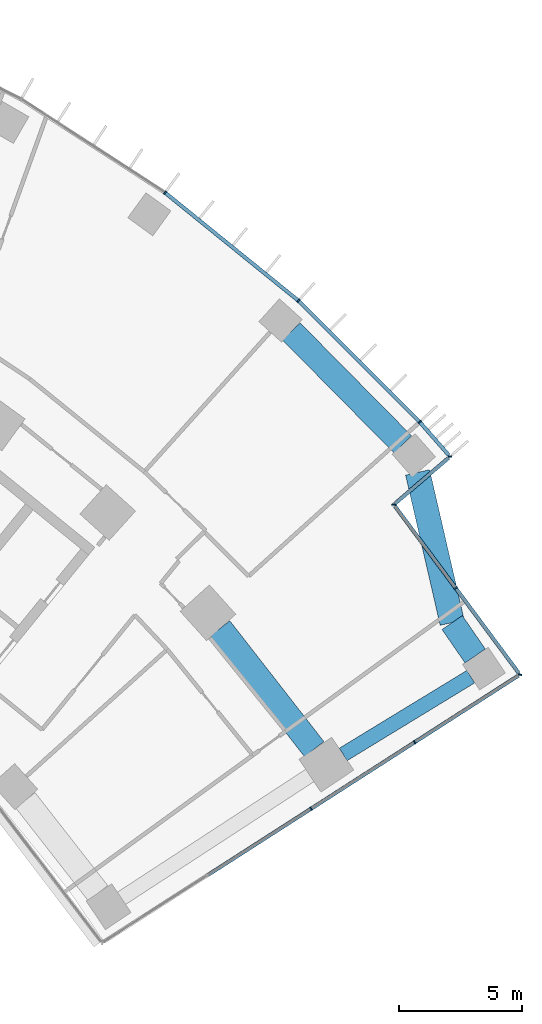
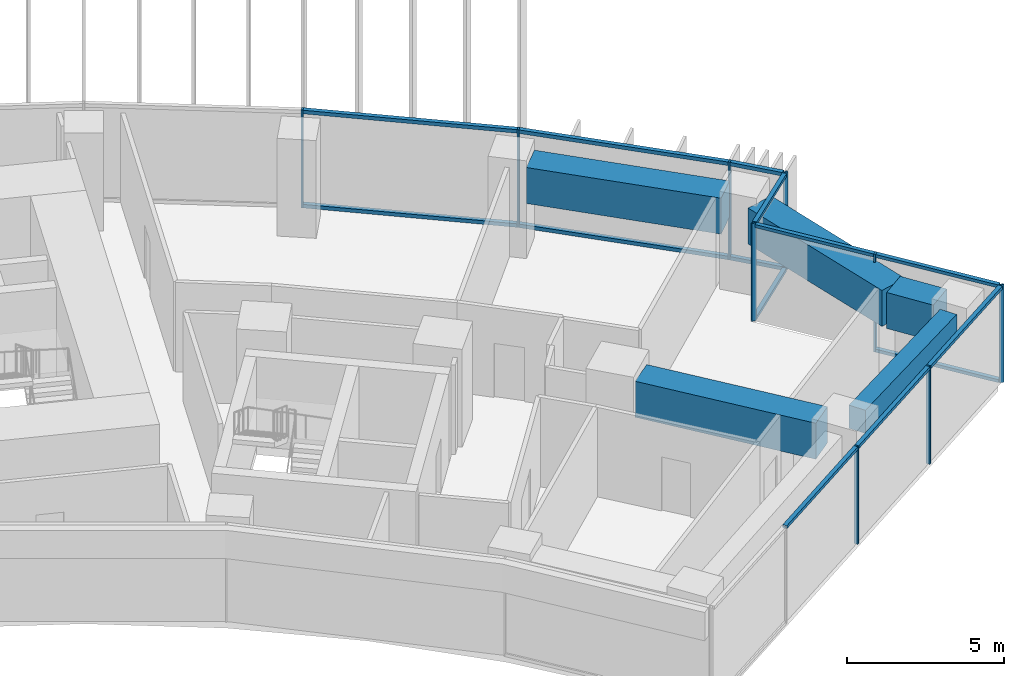
# One storey, part 12 of 25: 23 members, 5 beams, 4 elements without a shape of their own.
"""IFC4 building model written with IfcOpenShell, lengths in metres."""

from ifc_helpers import new_model, si_unit, direction, frame, origin, origin_2d, place, context, subcontext, project, spatial, rectangle, extrude, material, layer, layer_set, material_profile, profile_set, type_object, element, aggregate, save


model = new_model("IFC4")

# Units and contexts
model_context = context("Model", 3, precision=1e-05, world=origin(), true_north=direction((0.0, 1.0)))
body_context = subcontext(model_context, "Body", "Model", "MODEL_VIEW")
ifc_project = project(units=[si_unit("LENGTHUNIT", "METRE"), si_unit("AREAUNIT", "SQUARE_METRE"), si_unit("VOLUMEUNIT", "CUBIC_METRE"), si_unit("PLANEANGLEUNIT", "RADIAN"), si_unit("MASSUNIT", "GRAM", prefix="KILO")], contexts=[model_context])

# Site, building, storey
site_placement = place(None, origin())
site = spatial("IfcSite", under=ifc_project, at=site_placement, CompositionType="ELEMENT")
building_placement = place(site_placement, origin())
building = spatial("IfcBuilding", under=site, at=building_placement, Name="Stone Belt Terrace Tower", CompositionType="ELEMENT")
storey_placement = place(building_placement, frame((0.0, 0.0, 52.800048828125)))
storey = spatial("IfcBuildingStorey", under=building, at=storey_placement, Name="L12", CompositionType="ELEMENT", Elevation=52.800048828125)

# Curtain wall, members
ifc_material_1 = material(Name="Aluminium 6063-T6 anodised frame", Category="aluminium")
ifc_layer_1 = layer(ifc_material_1, 0.14990234375)
ifc_layer_set_1 = layer_set([ifc_layer_1], Name="CW-A unitised convex-face curtain wall")
curtain_wall_type_1 = type_object("IfcCurtainWallType", Name="CW-A unitised convex-face curtain wall", PredefinedType="NOTDEFINED", material=ifc_layer_set_1)
curtain_wall_1_placement = place(storey_placement, origin())
curtain_wall_1 = element("IfcCurtainWall", 1, at=curtain_wall_1_placement, inside=storey, type_object=curtain_wall_type_1, Name="CW-A convex face L12", PredefinedType="NOTDEFINED")
ifc_material_profile_1 = material_profile(ifc_material_1, rectangle(XDim=0.14990234375, YDim=0.06005859375, at=origin_2d()), Name="Aluminium 6063-T6 60x150")
ifc_profile_set_1 = profile_set([ifc_material_profile_1], Name="Aluminium 6063-T6 anodised frame")
member_type_1 = type_object("IfcMemberType", Name="CW-A mullion 60 x 150", PredefinedType="MULLION", material=ifc_profile_set_1)
member_1_placement = place(storey_placement, frame((50.704833984375, 43.14404296875, 0.0), z_axis=(0.0, 0.0, 1.0), x_axis=(-0.997370302564, 0.072473992328, 0.0)))
member_1 = element("IfcMember", 2, at=member_1_placement, type_object=member_type_1, Name="CW-A mullion 1", PredefinedType="MULLION", context=body_context, shape_type="SweptSolid", body=[
    extrude(rectangle(XDim=0.14990234375, YDim=0.06005859375, at=origin_2d()), origin(), (0.0, 0.0, 1.0), 3.800048828125),
])
member_2_placement = place(storey_placement, frame((49.473876953125, 44.548583984375, 0.0), z_axis=(0.0, 0.0, 1.0), x_axis=(-0.729987735312, -0.683460244853, 0.0)))
member_2 = element("IfcMember", 3, at=member_2_placement, type_object=member_type_1, Name="CW-A mullion 2", PredefinedType="MULLION", context=body_context, shape_type="SweptSolid", body=[
    extrude(rectangle(XDim=0.14990234375, YDim=0.06005859375, at=origin_2d()), origin(), (0.0, 0.0, 1.0), 3.800048828125),
])
member_3_placement = place(storey_placement, frame((44.54736328125, 49.474853515625, 0.0), z_axis=(0.0, 0.0, 1.0), x_axis=(-0.669130606359, -0.743144825477, 0.0)))
member_3 = element("IfcMember", 4, at=member_3_placement, type_object=member_type_1, Name="CW-A mullion 3", PredefinedType="MULLION", context=body_context, shape_type="SweptSolid", body=[
    extrude(rectangle(XDim=0.14990234375, YDim=0.06005859375, at=origin_2d()), origin(), (0.0, 0.0, 1.0), 3.800048828125),
])
member_4_placement = place(storey_placement, frame((39.1318359375, 53.8603515625, 0.0), z_axis=(0.0, 0.0, 1.0), x_axis=(-0.587785252292, -0.809016994375, 0.0)))
member_4 = element("IfcMember", 5, at=member_4_placement, type_object=member_type_1, Name="CW-A mullion 4", PredefinedType="MULLION", context=body_context, shape_type="SweptSolid", body=[
    extrude(rectangle(XDim=0.14990234375, YDim=0.06005859375, at=origin_2d()), origin(), (0.0, 0.0, 1.0), 3.800048828125),
])
ifc_material_profile_2 = material_profile(ifc_material_1, rectangle(XDim=0.14990234375, YDim=0.139892578125, at=origin_2d()), Name="Aluminium 6063-T6 150x140")
ifc_profile_set_2 = profile_set([ifc_material_profile_2], Name="Aluminium 6063-T6 anodised frame")
member_type_2 = type_object("IfcMemberType", Name="CW-A transom 140 x 150", PredefinedType="USERDEFINED", material=ifc_profile_set_2)
member_5_placement = place(storey_placement, frame((50.65576171875, 43.199951171875, 0.070068359375), z_axis=(-0.659054166524, 0.752095476378, 0.0), x_axis=(-0.752095476378, -0.659054166524, 0.0)))
member_5 = element("IfcMember", 6, at=member_5_placement, type_object=member_type_2, Name="CW-A transom 1.1", ObjectType="TRANSOM", PredefinedType="USERDEFINED", context=body_context, shape_type="SweptSolid", body=[
    extrude(rectangle(XDim=0.14990234375, YDim=0.139892578125, at=origin_2d()), origin(), (0.0, 0.0, 1.0), 1.7607421875),
])
member_6_placement = place(storey_placement, frame((50.65576171875, 43.199951171875, 3.72998046875), z_axis=(-0.659054166524, 0.752095476378, 0.0), x_axis=(-0.752095476378, -0.659054166524, 0.0)))
member_6 = element("IfcMember", 7, at=member_6_placement, type_object=member_type_2, Name="CW-A transom 1.2", ObjectType="TRANSOM", PredefinedType="USERDEFINED", context=body_context, shape_type="SweptSolid", body=[
    extrude(rectangle(XDim=0.14990234375, YDim=0.139892578125, at=origin_2d()), origin(), (0.0, 0.0, 1.0), 1.7607421875),
])
member_7_placement = place(storey_placement, frame((49.450927734375, 44.571533203125, 0.070068359375), z_axis=(-0.707124470575, 0.707089091355, 0.0), x_axis=(-0.707089091355, -0.707124470575, 0.0)))
member_7 = element("IfcMember", 8, at=member_7_placement, type_object=member_type_2, Name="CW-A transom 2.1", ObjectType="TRANSOM", PredefinedType="USERDEFINED", context=body_context, shape_type="SweptSolid", body=[
    extrude(rectangle(XDim=0.14990234375, YDim=0.139892578125, at=origin_2d()), origin(), (0.0, 0.0, 1.0), 6.900634765625),
])
member_8_placement = place(storey_placement, frame((49.450927734375, 44.571533203125, 3.72998046875), z_axis=(-0.707124470575, 0.707089091355, 0.0), x_axis=(-0.707089091355, -0.707124470575, 0.0)))
member_8 = element("IfcMember", 9, at=member_8_placement, type_object=member_type_2, Name="CW-A transom 2.2", ObjectType="TRANSOM", PredefinedType="USERDEFINED", context=body_context, shape_type="SweptSolid", body=[
    extrude(rectangle(XDim=0.14990234375, YDim=0.139892578125, at=origin_2d()), origin(), (0.0, 0.0, 1.0), 6.900634765625),
])
member_9_placement = place(storey_placement, frame((44.52099609375, 49.496337890625, 0.070068359375), z_axis=(-0.777141048626, 0.629326457842, 0.0), x_axis=(-0.629326457842, -0.777141048626, 0.0)))
member_9 = element("IfcMember", 10, at=member_9_placement, type_object=member_type_2, Name="CW-A transom 3.1", ObjectType="TRANSOM", PredefinedType="USERDEFINED", context=body_context, shape_type="SweptSolid", body=[
    extrude(rectangle(XDim=0.14990234375, YDim=0.139892578125, at=origin_2d()), origin(), (0.0, 0.0, 1.0), 6.900634765625),
])
member_10_placement = place(storey_placement, frame((44.52099609375, 49.496337890625, 3.72998046875), z_axis=(-0.777141048626, 0.629326457842, 0.0), x_axis=(-0.629326457842, -0.777141048626, 0.0)))
member_10 = element("IfcMember", 11, at=member_10_placement, type_object=member_type_2, Name="CW-A transom 3.2", ObjectType="TRANSOM", PredefinedType="USERDEFINED", context=body_context, shape_type="SweptSolid", body=[
    extrude(rectangle(XDim=0.14990234375, YDim=0.139892578125, at=origin_2d()), origin(), (0.0, 0.0, 1.0), 6.900634765625),
])
aggregate(curtain_wall_1, [member_1, member_2, member_3, member_4, member_5, member_6, member_7, member_8, member_9, member_10])

ifc_layer_2 = layer(ifc_material_1, 0.14990234375)
ifc_layer_set_2 = layer_set([ifc_layer_2], Name="CW-C stick curtain wall, horn ends and notches")
curtain_wall_type_2 = type_object("IfcCurtainWallType", Name="CW-C stick curtain wall, horn ends and notches", PredefinedType="NOTDEFINED", material=ifc_layer_set_2)
curtain_wall_2_placement = place(storey_placement, origin())
curtain_wall_2 = element("IfcCurtainWall", 12, at=curtain_wall_2_placement, inside=storey, type_object=curtain_wall_type_2, Name="CW-C end face L12", PredefinedType="NOTDEFINED")
ifc_material_profile_3 = material_profile(ifc_material_1, rectangle(XDim=0.14990234375, YDim=0.06005859375, at=origin_2d()), Name="Aluminium 6063-T6 60x150")
ifc_profile_set_3 = profile_set([ifc_material_profile_3], Name="Aluminium 6063-T6 anodised frame")
member_type_3 = type_object("IfcMemberType", Name="CW-C mullion 60 x 150", PredefinedType="MULLION", material=ifc_profile_set_3)
member_11_placement = place(storey_placement, frame((45.059326171875, 28.843017578125, 0.0), z_axis=(0.0, 0.0, 1.0), x_axis=(-0.540302305869, 0.841470984807, 0.0)))
member_11 = element("IfcMember", 13, at=member_11_placement, type_object=member_type_3, Name="CW-C mullion 3", PredefinedType="MULLION", context=body_context, shape_type="SweptSolid", body=[
    extrude(rectangle(XDim=0.14990234375, YDim=0.06005859375, at=origin_2d()), origin(), (0.0, 0.0, 1.0), 3.800048828125),
])
member_12_placement = place(storey_placement, frame((49.2666015625, 31.544677734375, 0.0), z_axis=(0.0, 0.0, 1.0), x_axis=(-0.540302305869, 0.841470984807, 0.0)))
member_12 = element("IfcMember", 14, at=member_12_placement, type_object=member_type_3, Name="CW-C mullion 4", PredefinedType="MULLION", context=body_context, shape_type="SweptSolid", body=[
    extrude(rectangle(XDim=0.14990234375, YDim=0.06005859375, at=origin_2d()), origin(), (0.0, 0.0, 1.0), 3.800048828125),
])

curtain_wall_3_placement = place(storey_placement, origin())
curtain_wall_3 = element("IfcCurtainWall", 15, at=curtain_wall_3_placement, inside=storey, type_object=curtain_wall_type_2, Name="CW-C notch face L12", PredefinedType="NOTDEFINED")
member_13_placement = place(storey_placement, frame((53.54150390625, 34.28955078125, 0.0), z_axis=(0.0, 0.0, 1.0), x_axis=(-0.983706042756, 0.179784374864, 0.0)))
member_13 = element("IfcMember", 16, at=member_13_placement, type_object=member_type_3, Name="CW-C mullion 1", PredefinedType="MULLION", context=body_context, shape_type="SweptSolid", body=[
    extrude(rectangle(XDim=0.14990234375, YDim=0.06005859375, at=origin_2d()), origin(), (0.0, 0.0, 1.0), 3.800048828125),
])
member_14_placement = place(storey_placement, frame((50.934814453125, 37.8017578125, 0.0), z_axis=(0.0, 0.0, 1.0), x_axis=(-0.803011209749, -0.59596392258, 0.0)))
member_14 = element("IfcMember", 17, at=member_14_placement, type_object=member_type_3, Name="CW-C mullion 2", PredefinedType="MULLION", context=body_context, shape_type="SweptSolid", body=[
    extrude(rectangle(XDim=0.14990234375, YDim=0.06005859375, at=origin_2d()), origin(), (0.0, 0.0, 1.0), 3.800048828125),
])

# Curtain wall, member
curtain_wall_4_placement = place(storey_placement, origin())
curtain_wall_4 = element("IfcCurtainWall", 18, at=curtain_wall_4_placement, inside=storey, type_object=curtain_wall_type_2, Name="CW-C notch face L12", PredefinedType="NOTDEFINED")
member_15_placement = place(storey_placement, frame((48.417724609375, 41.193359375, 0.0), z_axis=(0.0, 0.0, 1.0), x_axis=(-0.993611226817, 0.112857121813, 0.0)))
member_15 = element("IfcMember", 19, at=member_15_placement, type_object=member_type_3, Name="CW-C mullion 1", PredefinedType="MULLION", context=body_context, shape_type="SweptSolid", body=[
    extrude(rectangle(XDim=0.14990234375, YDim=0.06005859375, at=origin_2d()), origin(), (0.0, 0.0, 1.0), 3.800048828125),
])

# Member
ifc_material_profile_4 = material_profile(ifc_material_1, rectangle(XDim=0.14990234375, YDim=0.1201171875, at=origin_2d()), Name="Aluminium 6063-T6 150x120")
ifc_profile_set_4 = profile_set([ifc_material_profile_4], Name="Aluminium 6063-T6 anodised frame")
member_type_4 = type_object("IfcMemberType", Name="CW-C transom 120 x 150", PredefinedType="USERDEFINED", material=ifc_profile_set_4)
member_16_placement = place(storey_placement, frame((40.877197265625, 26.15771484375, 3.739990234375), z_axis=(0.841454556471, 0.540327890632, 0.0), x_axis=(-0.540327890632, 0.841454556471, 0.0)))
member_16 = element("IfcMember", 20, at=member_16_placement, type_object=member_type_4, Name="CW-C transom 2.1", ObjectType="TRANSOM", PredefinedType="USERDEFINED", context=body_context, shape_type="SweptSolid", body=[
    extrude(rectangle(XDim=0.14990234375, YDim=0.1201171875, at=origin_2d()), origin(), (0.0, 0.0, 1.0), 4.93994140625),
])

member_17_placement = place(storey_placement, frame((45.08447265625, 28.859375, 3.739990234375), z_axis=(0.841477026499, 0.540292896376, 0.0), x_axis=(-0.540292896376, 0.841477026499, 0.0)))
member_17 = element("IfcMember", 21, at=member_17_placement, type_object=member_type_4, Name="CW-C transom 3.1", ObjectType="TRANSOM", PredefinedType="USERDEFINED", context=body_context, shape_type="SweptSolid", body=[
    extrude(rectangle(XDim=0.14990234375, YDim=0.1201171875, at=origin_2d()), origin(), (0.0, 0.0, 1.0), 4.939697265625),
])

member_18_placement = place(storey_placement, frame((49.291748046875, 31.560791015625, 3.739990234375), z_axis=(0.84147013888, 0.54030362332, 0.0), x_axis=(-0.54030362332, 0.84147013888, 0.0)))
member_18 = element("IfcMember", 22, at=member_18_placement, type_object=member_type_4, Name="CW-C transom 4.1", ObjectType="TRANSOM", PredefinedType="USERDEFINED", context=body_context, shape_type="SweptSolid", body=[
    extrude(rectangle(XDim=0.14990234375, YDim=0.1201171875, at=origin_2d()), origin(), (0.0, 0.0, 1.0), 4.974853515625),
])

aggregate(curtain_wall_2, [member_11, member_12, member_16, member_17, member_18])

member_19_placement = place(storey_placement, frame((53.49658203125, 34.349853515625, 0.06005859375), z_axis=(-0.595965912746, 0.803009732721, 0.0), x_axis=(-0.803009732721, -0.595965912746, 0.0)))
member_19 = element("IfcMember", 23, at=member_19_placement, type_object=member_type_4, Name="CW-C transom 1.1", ObjectType="TRANSOM", PredefinedType="USERDEFINED", context=body_context, shape_type="SweptSolid", body=[
    extrude(rectangle(XDim=0.14990234375, YDim=0.1201171875, at=origin_2d()), origin(), (0.0, 0.0, 1.0), 4.2685546875),
])

member_20_placement = place(storey_placement, frame((53.49658203125, 34.349853515625, 3.739990234375), z_axis=(-0.595965912746, 0.803009732721, 0.0), x_axis=(-0.803009732721, -0.595965912746, 0.0)))
member_20 = element("IfcMember", 24, at=member_20_placement, type_object=member_type_4, Name="CW-C transom 1.2", ObjectType="TRANSOM", PredefinedType="USERDEFINED", context=body_context, shape_type="SweptSolid", body=[
    extrude(rectangle(XDim=0.14990234375, YDim=0.1201171875, at=origin_2d()), origin(), (0.0, 0.0, 1.0), 4.2685546875),
])

member_21_placement = place(storey_placement, frame((50.916748046875, 37.825927734375, 3.739990234375), z_axis=(-0.5959443058, 0.803025768195, 0.0), x_axis=(-0.803025768195, -0.5959443058, 0.0)))
member_21 = element("IfcMember", 25, at=member_21_placement, type_object=member_type_4, Name="CW-C transom 2.1", ObjectType="TRANSOM", PredefinedType="USERDEFINED", context=body_context, shape_type="SweptSolid", body=[
    extrude(rectangle(XDim=0.14990234375, YDim=0.1201171875, at=origin_2d()), origin(), (0.0, 0.0, 1.0), 4.120361328125),
])

aggregate(curtain_wall_3, [member_13, member_14, member_19, member_20, member_21])

member_22_placement = place(storey_placement, frame((48.47314453125, 41.240966796875, 0.06005859375), z_axis=(0.760912085112, 0.648854990526, 0.0), x_axis=(-0.648854990526, 0.760912085112, 0.0)))
member_22 = element("IfcMember", 26, at=member_22_placement, type_object=member_type_4, Name="CW-C transom 1.1", ObjectType="TRANSOM", PredefinedType="USERDEFINED", context=body_context, shape_type="SweptSolid", body=[
    extrude(rectangle(XDim=0.14990234375, YDim=0.1201171875, at=origin_2d()), origin(), (0.0, 0.0, 1.0), 2.8583984375),
])

member_23_placement = place(storey_placement, frame((48.47314453125, 41.240966796875, 3.739990234375), z_axis=(0.760912085112, 0.648854990526, 0.0), x_axis=(-0.648854990526, 0.760912085112, 0.0)))
member_23 = element("IfcMember", 27, at=member_23_placement, type_object=member_type_4, Name="CW-C transom 1.2", ObjectType="TRANSOM", PredefinedType="USERDEFINED", context=body_context, shape_type="SweptSolid", body=[
    extrude(rectangle(XDim=0.14990234375, YDim=0.1201171875, at=origin_2d()), origin(), (0.0, 0.0, 1.0), 2.8583984375),
])

aggregate(curtain_wall_4, [member_15, member_22, member_23])

# Beams
ifc_material_2 = material(Name="Concrete B60", Category="concrete")
ifc_material_profile_5 = material_profile(ifc_material_2, rectangle(XDim=0.60009765625, YDim=0.89990234375, at=origin_2d()), Name="RC 600x900")
ifc_profile_set_5 = profile_set([ifc_material_profile_5], Name="Concrete B60")
beam_type_1 = type_object("IfcBeamType", Name="Edge beam RC 600x900 B60", PredefinedType="SPANDREL", material=ifc_profile_set_5)
beam_1_placement = place(storey_placement, frame((46.364013671875, 31.048828125, 3.030029296875), z_axis=(0.853851123316, 0.520517299627, 0.0), x_axis=(-0.520517299627, 0.853851123316, 0.0)))
element("IfcBeam", 28, at=beam_1_placement, inside=storey, type_object=beam_type_1, Name="Edge beam L12 B Q to R", PredefinedType="SPANDREL", context=body_context, shape_type="SweptSolid", body=[
    extrude(rectangle(XDim=0.60009765625, YDim=0.89990234375, at=origin_2d()), origin(), (0.0, 0.0, 1.0), 6.06884765625),
])
ifc_material_3 = material(Name="Concrete B80", Category="concrete")
ifc_material_profile_6 = material_profile(ifc_material_3, rectangle(XDim=1.0, YDim=1.39990234375, at=origin_2d()), Name="RC 1000x1400")
ifc_profile_set_6 = profile_set([ifc_material_profile_6], Name="Concrete B80")
beam_type_2 = type_object("IfcBeamType", Name="Transfer beam RC 1000x1400 B80", PredefinedType="BEAM", material=ifc_profile_set_6)
beam_2_placement = place(storey_placement, frame((41.365966796875, 36.16943359375, 2.780029296875), z_axis=(0.614606422985, -0.788833914602, 0.0), x_axis=(0.788833914602, 0.614606422985, 0.0)))
element("IfcBeam", 29, at=beam_2_placement, inside=storey, type_object=beam_type_2, Name="Transfer beam L12 QQ30-QB", PredefinedType="BEAM", context=body_context, shape_type="SweptSolid", body=[
    extrude(rectangle(XDim=1.0, YDim=1.39990234375, at=origin_2d()), origin(), (0.0, 0.0, 1.0), 6.217529296875),
])
beam_3_placement = place(storey_placement, frame((49.38623046875, 42.49951171875, 2.780029296875), z_axis=(0.224383445478, -0.974500933502, 0.0), x_axis=(0.974500933502, 0.224383445478, 0.0)))
element("IfcBeam", 30, at=beam_3_placement, inside=storey, type_object=beam_type_2, Name="Transfer beam L12 RRNB-RB", PredefinedType="BEAM", context=body_context, shape_type="SweptSolid", body=[
    extrude(rectangle(XDim=1.0, YDim=1.39990234375, at=origin_2d()), origin(), (0.0, 0.0, 1.0), 6.255126953125),
])
beam_4_placement = place(storey_placement, frame((50.789794921875, 36.40380859375, 2.780029296875), z_axis=(0.567767596909, -0.823188894422, 0.0), x_axis=(0.823188894422, 0.567767596909, 0.0)))
element("IfcBeam", 31, at=beam_4_placement, inside=storey, type_object=beam_type_2, Name="Transfer beam L12 RRB-RB", PredefinedType="BEAM", context=body_context, shape_type="SweptSolid", body=[
    extrude(rectangle(XDim=1.0, YDim=1.39990234375, at=origin_2d()), origin(), (0.0, 0.0, 1.0), 1.64697265625),
])
beam_5_placement = place(storey_placement, frame((44.260498046875, 48.22216796875, 2.780029296875), z_axis=(0.702545188831, -0.711639134428, 0.0), x_axis=(0.711639134428, 0.702545188831, 0.0)))
element("IfcBeam", 32, at=beam_5_placement, inside=storey, type_object=beam_type_2, Name="Transfer beam L12 RR29-RNB", PredefinedType="BEAM", context=body_context, shape_type="SweptSolid", body=[
    extrude(rectangle(XDim=1.0, YDim=1.39990234375, at=origin_2d()), origin(), (0.0, 0.0, 1.0), 6.443115234375),
])

save(model, "model.ifc")
